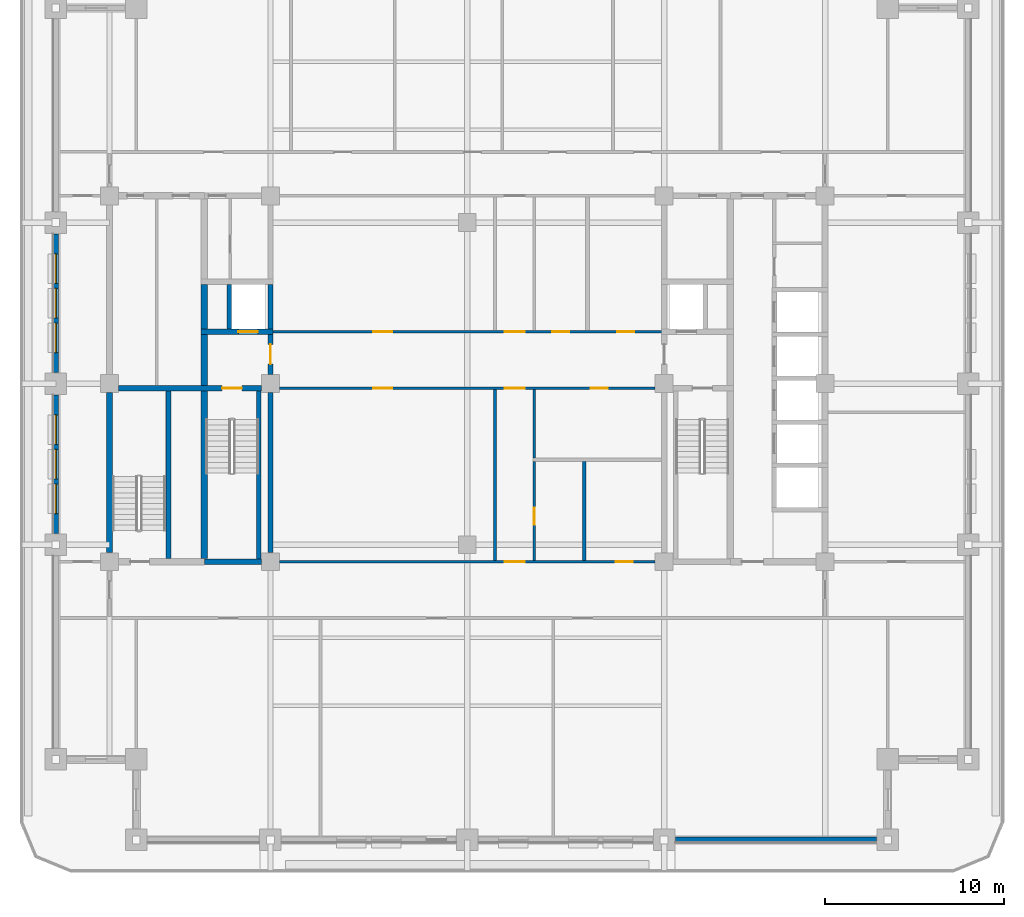
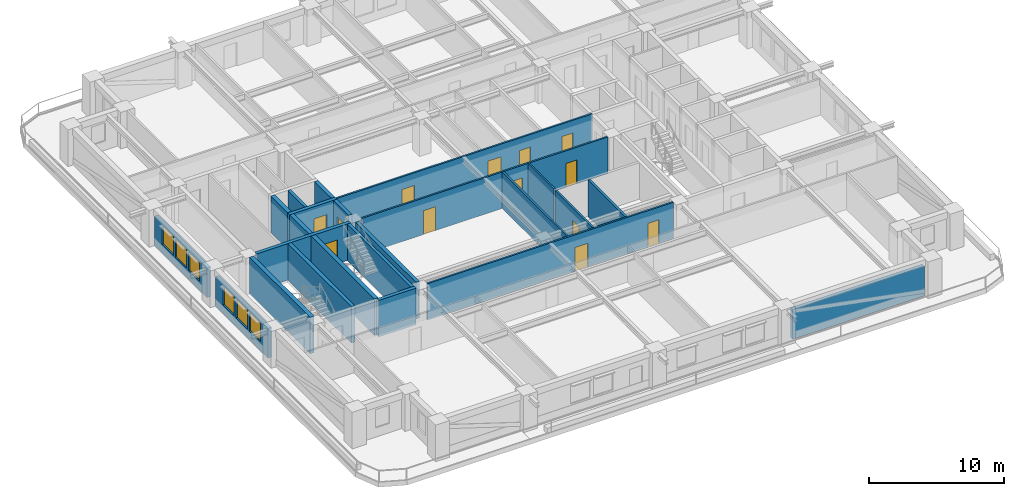
# One storey, part 3 of 14: 23 walls, 13 doors, 6 windows, 19 openings.
"""IFC4 building model written with IfcOpenShell, lengths in metres."""

from ifc_helpers import new_model, si_unit, direction, frame, frame_2d, origin, place, context, subcontext, project, spatial, rectangle, extrude, material, layer, layer_set, type_object, element, fill, save


model = new_model("IFC4")

# Units and contexts
model_context = context("Model", 3, precision=1e-05, world=origin(), true_north=direction((0.0, 1.0)))
body_context = subcontext(model_context, "Body", "Model", "MODEL_VIEW")
ifc_project = project(units=[si_unit("LENGTHUNIT", "METRE"), si_unit("AREAUNIT", "SQUARE_METRE"), si_unit("VOLUMEUNIT", "CUBIC_METRE"), si_unit("PLANEANGLEUNIT", "RADIAN"), si_unit("MASSUNIT", "GRAM", prefix="KILO")], contexts=[model_context])

# Site, building, storey
site_placement = place(None, origin())
site = spatial("IfcSite", under=ifc_project, at=site_placement, CompositionType="ELEMENT")
building_placement = place(site_placement, origin())
building = spatial("IfcBuilding", under=site, at=building_placement, Name="Zulmaris Gate Convention Tower", CompositionType="ELEMENT")
storey_placement = place(building_placement, frame((0.0, 0.0, 94.929931640625)))
storey = spatial("IfcBuildingStorey", under=building, at=storey_placement, Name="L23", CompositionType="ELEMENT", Elevation=94.929931640625)

# Walls
ifc_material_1 = material(Name="Concrete C50/60", Category="concrete")
ifc_layer_1 = layer(ifc_material_1, 0.25, Name="Concrete C50/60")
ifc_layer_set_1 = layer_set([ifc_layer_1], Name="Concrete C50/60")
wall_type_1 = type_object("IfcWallType", Name="CORE-250", PredefinedType="SOLIDWALL", material=ifc_layer_set_1)
wall_1_placement = place(storey_placement, frame((-13.300048828125, 3.052001953125, 0.0), z_axis=(0.0, 0.0, 1.0), x_axis=(0.0, 1.0, 0.0)))
element("IfcWall", 1, at=wall_1_placement, inside=storey, type_object=wall_type_1, Name="WL-L23-041", PredefinedType="SOLIDWALL", context=body_context, shape_type="SweptSolid", body=[
    extrude(rectangle(XDim=2.49609375, YDim=0.25, at=frame_2d((1.248046875, 0.0))), origin(), (0.0, 0.0, 1.0), 3.295166015625),
])
wall_2_placement = place(storey_placement, frame((-11.64990234375, -9.798095703125, 0.0), z_axis=(0.0, 0.0, 1.0), x_axis=(0.0, 1.0, 0.0)))
element("IfcWall", 2, at=wall_2_placement, inside=storey, type_object=wall_type_1, Name="WL-L23-042", PredefinedType="SOLIDWALL", context=body_context, shape_type="SweptSolid", body=[
    extrude(rectangle(XDim=9.39599609375, YDim=0.25, at=frame_2d((4.697998046875, 0.0))), origin(), (0.0, 0.0, 1.0), 3.295166015625),
])
ifc_layer_2 = layer(ifc_material_1, 0.300048828125, Name="Concrete C50/60")
ifc_layer_set_2 = layer_set([ifc_layer_2], Name="Concrete C50/60")
wall_type_2 = type_object("IfcWallType", Name="CORE-300", PredefinedType="SHEAR", material=ifc_layer_set_2)
wall_3_placement = place(storey_placement, frame((-14.699951171875, -9.949951171875, 0.0), z_axis=(0.0, 0.0, 1.0), x_axis=(1.0, 0.0, 0.0)))
element("IfcWall", 3, at=wall_3_placement, inside=storey, type_object=wall_type_2, Name="WL-L23-002", PredefinedType="SHEAR", context=body_context, shape_type="SweptSolid", body=[
    extrude(rectangle(XDim=3.196044921875, YDim=0.300048828125, at=frame_2d((1.59814453125, 0.0))), origin(), (0.0, 0.0, 1.0), 3.295166015625),
])

# Wall, opening, door
wall_4_placement = place(storey_placement, frame((-19.49609375, -0.25, 0.0), z_axis=(0.0, 0.0, 1.0), x_axis=(1.0, 0.0, 0.0)))
wall_4 = element("IfcWall", 4, at=wall_4_placement, inside=storey, type_object=wall_type_2, Name="WL-L23-008", PredefinedType="SHEAR", context=body_context, shape_type="SweptSolid", body=[
    extrude(rectangle(XDim=7.9921875, YDim=0.300048828125, at=frame_2d((3.99609375, 0.0))), origin(), (0.0, 0.0, 1.0), 3.295166015625),
])
opening_1_placement = place(wall_4_placement, frame((5.7958984375, 0.0, 0.0)))
opening_1 = element("IfcOpeningElement", 5, at=opening_1_placement, cuts=wall_4, Name="Opening D-08", PredefinedType="OPENING", context=body_context, shape_type="SweptSolid", body=[
    extrude(rectangle(XDim=1.10009765625, YDim=2.14990234375, at=frame_2d((0.550048828125, 1.074951171875))), frame((0.0, 0.16015625, 0.0), z_axis=(0.0, -1.0, 0.0), x_axis=(1.0, 0.0, 0.0)), (0.0, 0.0, 1.0), 0.320068359375),
])
ifc_material_2 = material(Name="Fire-Rated Steel", Category="steel")
door_type_1 = type_object("IfcDoorType", Name="DR-1100-FD", OperationType="NOTDEFINED", PredefinedType="DOOR", material=ifc_material_2)
door_1_placement = place(opening_1_placement, origin())
door_1 = element("IfcDoor", 6, at=door_1_placement, inside=storey, type_object=door_type_1, Name="L23 Exit Stair ST-1 Door 01", OperationType="SINGLE_SWING_RIGHT", OverallHeight=2.14990234375, OverallWidth=1.10009765625, PredefinedType="DOOR", context=body_context, shape_type="SweptSolid", body=[
    extrude(rectangle(XDim=1.10009765625, YDim=2.14990234375, at=frame_2d((0.550048828125, 1.074951171875))), frame((0.0, 0.02490234375, 0.0), z_axis=(0.0, -1.0, 0.0), x_axis=(1.0, 0.0, 0.0)), (0.0, 0.0, 1.0), 0.050048828125),
])
fill(opening_1, door_1)

wall_5_placement = place(storey_placement, frame((-14.875, 2.89990234375, 0.0), z_axis=(0.0, 0.0, 1.0), x_axis=(1.0, 0.0, 0.0)))
wall_5 = element("IfcWall", 7, at=wall_5_placement, inside=storey, type_object=wall_type_2, Name="WL-L23-012", PredefinedType="SHEAR", context=body_context, shape_type="SweptSolid", body=[
    extrude(rectangle(XDim=4.02490234375, YDim=0.300048828125, at=frame_2d((2.012451171875, 0.0))), origin(), (0.0, 0.0, 1.0), 3.295166015625),
])
opening_2_placement = place(wall_5_placement, frame((2.074951171875, 0.0, 0.0)))
opening_2 = element("IfcOpeningElement", 8, at=opening_2_placement, cuts=wall_5, Name="Opening D-06", PredefinedType="OPENING", context=body_context, shape_type="SweptSolid", body=[
    extrude(rectangle(XDim=1.10009765625, YDim=2.199951171875, at=frame_2d((0.550048828125, 1.10009765625))), frame((0.0, 0.16015625, 0.0), z_axis=(0.0, -1.0, 0.0), x_axis=(1.0, 0.0, 0.0)), (0.0, 0.0, 1.0), 0.320068359375),
])
ifc_material_3 = material(Name="Brushed Stainless Steel", Category="steel")
door_type_2 = type_object("IfcDoorType", Name="LD-1100", OperationType="NOTDEFINED", PredefinedType="DOOR", material=ifc_material_3)
door_2_placement = place(opening_2_placement, origin())
door_2 = element("IfcDoor", 9, at=door_2_placement, inside=storey, type_object=door_type_2, Name="L23 Lift Landing Door LF-01 03", OperationType="SLIDING_TO_LEFT", OverallHeight=2.199951171875, OverallWidth=1.10009765625, PredefinedType="DOOR", context=body_context, shape_type="SweptSolid", body=[
    extrude(rectangle(XDim=1.10009765625, YDim=2.199951171875, at=frame_2d((0.550048828125, 1.10009765625))), frame((0.0, 0.02490234375, 0.0), z_axis=(0.0, -1.0, 0.0), x_axis=(1.0, 0.0, 0.0)), (0.0, 0.0, 1.0), 0.050048828125),
])
fill(opening_2, door_2)

# Walls
wall_6_placement = place(storey_placement, frame((-16.699951171875, -9.77294921875, 0.0), z_axis=(0.0, 0.0, 1.0), x_axis=(0.0, 1.0, 0.0)))
element("IfcWall", 10, at=wall_6_placement, inside=storey, type_object=wall_type_2, Name="WL-L23-036", PredefinedType="SHEAR", context=body_context, shape_type="SweptSolid", body=[
    extrude(rectangle(XDim=9.370849609375, YDim=0.300048828125, at=frame_2d((4.685546875, 0.0))), origin(), (0.0, 0.0, 1.0), 3.295166015625),
])
wall_7_placement = place(storey_placement, frame((-11.0, -9.446044921875, 0.0), z_axis=(0.0, 0.0, 1.0), x_axis=(0.0, 1.0, 0.0)))
element("IfcWall", 11, at=wall_7_placement, inside=storey, type_object=wall_type_2, Name="WL-L23-043", PredefinedType="SHEAR", context=body_context, shape_type="SweptSolid", body=[
    extrude(rectangle(XDim=8.942138671875, YDim=0.300048828125, at=frame_2d((4.47119140625, 0.0))), origin(), (0.0, 0.0, 1.0), 3.295166015625),
])

# Wall, opening, door
wall_8_placement = place(storey_placement, frame((-11.0, 0.50390625, 0.0), z_axis=(0.0, 0.0, 1.0), x_axis=(0.0, 1.0, 0.0)))
wall_8 = element("IfcWall", 12, at=wall_8_placement, inside=storey, type_object=wall_type_2, Name="WL-L23-044", PredefinedType="SHEAR", context=body_context, shape_type="SweptSolid", body=[
    extrude(rectangle(XDim=2.244140625, YDim=0.300048828125, at=frame_2d((1.1220703125, 0.0))), origin(), (0.0, 0.0, 1.0), 3.295166015625),
])
opening_3_placement = place(wall_8_placement, frame((0.595947265625, 0.0, 0.0)))
opening_3 = element("IfcOpeningElement", 13, at=opening_3_placement, cuts=wall_8, Name="Opening D-08", PredefinedType="OPENING", context=body_context, shape_type="SweptSolid", body=[
    extrude(rectangle(XDim=1.10009765625, YDim=2.14990234375, at=frame_2d((0.550048828125, 1.074951171875))), frame((0.0, 0.16015625, 0.0), z_axis=(0.0, -1.0, 0.0), x_axis=(1.0, 0.0, 0.0)), (0.0, 0.0, 1.0), 0.320068359375),
])
door_3_placement = place(opening_3_placement, origin())
door_3 = element("IfcDoor", 14, at=door_3_placement, inside=storey, type_object=door_type_1, Name="L23 West Firefighting Lobby Door 02", OperationType="SINGLE_SWING_LEFT", OverallHeight=2.14990234375, OverallWidth=1.10009765625, PredefinedType="DOOR", context=body_context, shape_type="SweptSolid", body=[
    extrude(rectangle(XDim=1.10009765625, YDim=2.14990234375, at=frame_2d((0.550048828125, 1.074951171875))), frame((0.0, 0.02490234375, 0.0), z_axis=(0.0, -1.0, 0.0), x_axis=(1.0, 0.0, 0.0)), (0.0, 0.0, 1.0), 0.050048828125),
])
fill(opening_3, door_3)

# Walls
wall_9_placement = place(storey_placement, frame((-11.0, 3.052001953125, 0.0), z_axis=(0.0, 0.0, 1.0), x_axis=(0.0, 1.0, 0.0)))
element("IfcWall", 15, at=wall_9_placement, inside=storey, type_object=wall_type_2, Name="WL-L23-045", PredefinedType="SHEAR", context=body_context, shape_type="SweptSolid", body=[
    extrude(rectangle(XDim=2.49609375, YDim=0.300048828125, at=frame_2d((1.248046875, 0.0))), origin(), (0.0, 0.0, 1.0), 3.295166015625),
])
ifc_material_4 = material(Name="Concrete C55/67", Category="concrete")
ifc_layer_3 = layer(ifc_material_4, 0.35009765625, Name="Concrete C55/67")
ifc_layer_set_3 = layer_set([ifc_layer_3], Name="Concrete C55/67")
wall_type_3 = type_object("IfcWallType", Name="CORE-350", PredefinedType="SHEAR", material=ifc_layer_set_3)
wall_10_placement = place(storey_placement, frame((-20.0, -9.446044921875, 0.0), z_axis=(0.0, 0.0, 1.0), x_axis=(0.0, 1.0, 0.0)))
element("IfcWall", 16, at=wall_10_placement, inside=storey, type_object=wall_type_3, Name="WL-L23-034", PredefinedType="SHEAR", context=body_context, shape_type="SweptSolid", body=[
    extrude(rectangle(XDim=8.942138671875, YDim=0.35009765625, at=frame_2d((4.47119140625, 0.0))), origin(), (0.0, 0.0, 1.0), 3.295166015625),
])
wall_11_placement = place(storey_placement, frame((-14.699951171875, -9.77294921875, 0.0), z_axis=(0.0, 0.0, 1.0), x_axis=(0.0, 1.0, 0.0)))
element("IfcWall", 17, at=wall_11_placement, inside=storey, type_object=wall_type_3, Name="WL-L23-037", PredefinedType="SHEAR", context=body_context, shape_type="SweptSolid", body=[
    extrude(rectangle(XDim=9.370849609375, YDim=0.35009765625, at=frame_2d((4.685546875, 0.0))), origin(), (0.0, 0.0, 1.0), 3.295166015625),
])
wall_12_placement = place(storey_placement, frame((-14.699951171875, -0.097900390625, 0.0), z_axis=(0.0, 0.0, 1.0), x_axis=(0.0, 1.0, 0.0)))
element("IfcWall", 18, at=wall_12_placement, inside=storey, type_object=wall_type_3, Name="WL-L23-038", PredefinedType="SHEAR", context=body_context, shape_type="SweptSolid", body=[
    extrude(rectangle(XDim=2.845947265625, YDim=0.35009765625, at=frame_2d((1.4228515625, 0.0))), origin(), (0.0, 0.0, 1.0), 3.295166015625),
])
wall_13_placement = place(storey_placement, frame((-14.699951171875, 3.052001953125, 0.0), z_axis=(0.0, 0.0, 1.0), x_axis=(0.0, 1.0, 0.0)))
element("IfcWall", 19, at=wall_13_placement, inside=storey, type_object=wall_type_3, Name="WL-L23-039", PredefinedType="SHEAR", context=body_context, shape_type="SweptSolid", body=[
    extrude(rectangle(XDim=2.49609375, YDim=0.35009765625, at=frame_2d((1.248046875, 0.0))), origin(), (0.0, 0.0, 1.0), 3.295166015625),
])

# Wall, openings, doors
ifc_material_5 = material(Name="Gypsum Metal Stud Partition")
ifc_layer_4 = layer(ifc_material_5, 0.14990234375, Name="Gypsum Metal Stud Partition")
ifc_layer_set_4 = layer_set([ifc_layer_4], Name="Gypsum Metal Stud Partition")
wall_type_4 = type_object("IfcWallType", Name="PART-150", PredefinedType="PARTITIONING", material=ifc_layer_set_4)
wall_14_placement = place(storey_placement, frame((-10.493896484375, -9.949951171875, 0.0), z_axis=(0.0, 0.0, 1.0), x_axis=(1.0, 0.0, 0.0)))
wall_14 = element("IfcWall", 20, at=wall_14_placement, inside=storey, type_object=wall_type_4, Name="WL-L23-023", PredefinedType="PARTITIONING", context=body_context, shape_type="SweptSolid", body=[
    extrude(rectangle(XDim=20.98779296875, YDim=0.14990234375, at=frame_2d((10.493896484375, 0.0))), origin(), (0.0, 0.0, 1.0), 3.295166015625),
])
opening_4_placement = place(wall_14_placement, frame((12.593994140625, 0.0, 0.0)))
opening_4 = element("IfcOpeningElement", 21, at=opening_4_placement, cuts=wall_14, Name="Opening D-08", PredefinedType="OPENING", context=body_context, shape_type="SweptSolid", body=[
    extrude(rectangle(XDim=1.10009765625, YDim=2.14990234375, at=frame_2d((0.550048828125, 1.074951171875))), frame((0.0, 0.0849609375, 0.0), z_axis=(0.0, -1.0, 0.0), x_axis=(1.0, 0.0, 0.0)), (0.0, 0.0, 1.0), 0.169921875),
])
opening_5_placement = place(wall_14_placement, frame((18.799072265625, 0.0, 0.0)))
opening_5 = element("IfcOpeningElement", 22, at=opening_5_placement, cuts=wall_14, Name="Opening D-11", PredefinedType="OPENING", context=body_context, shape_type="SweptSolid", body=[
    extrude(rectangle(XDim=0.949951171875, YDim=2.14990234375, at=frame_2d((0.47509765625, 1.074951171875))), frame((0.0, 0.0849609375, 0.0), z_axis=(0.0, -1.0, 0.0), x_axis=(1.0, 0.0, 0.0)), (0.0, 0.0, 1.0), 0.169921875),
])
door_4_placement = place(opening_4_placement, origin())
door_4 = element("IfcDoor", 23, at=door_4_placement, inside=storey, type_object=door_type_1, Name="L23 South Gallery Link Door 22", OperationType="SINGLE_SWING_LEFT", OverallHeight=2.14990234375, OverallWidth=1.10009765625, PredefinedType="DOOR", context=body_context, shape_type="SweptSolid", body=[
    extrude(rectangle(XDim=1.10009765625, YDim=2.14990234375, at=frame_2d((0.550048828125, 1.074951171875))), frame((0.0, 0.02490234375, 0.0), z_axis=(0.0, -1.0, 0.0), x_axis=(1.0, 0.0, 0.0)), (0.0, 0.0, 1.0), 0.050048828125),
])
fill(opening_4, door_4)
ifc_material_6 = material(Name="Fire-Rated Timber", Category="wood")
door_type_3 = type_object("IfcDoorType", Name="DR-950-FD", OperationType="NOTDEFINED", PredefinedType="DOOR", material=ifc_material_6)
door_5_placement = place(opening_5_placement, origin())
door_5 = element("IfcDoor", 24, at=door_5_placement, inside=storey, type_object=door_type_3, Name="L23 Vault Store Door 40", OperationType="SINGLE_SWING_LEFT", OverallHeight=2.14990234375, OverallWidth=0.949951171875, PredefinedType="DOOR", context=body_context, shape_type="SweptSolid", body=[
    extrude(rectangle(XDim=0.949951171875, YDim=2.14990234375, at=frame_2d((0.47509765625, 1.074951171875))), frame((0.0, 0.02490234375, 0.0), z_axis=(0.0, -1.0, 0.0), x_axis=(1.0, 0.0, 0.0)), (0.0, 0.0, 1.0), 0.050048828125),
])
fill(opening_5, door_5)

wall_15_placement = place(storey_placement, frame((-10.493896484375, -0.25, 0.0), z_axis=(0.0, 0.0, 1.0), x_axis=(1.0, 0.0, 0.0)))
wall_15 = element("IfcWall", 25, at=wall_15_placement, inside=storey, type_object=wall_type_4, Name="WL-L23-027", PredefinedType="PARTITIONING", context=body_context, shape_type="SweptSolid", body=[
    extrude(rectangle(XDim=20.98779296875, YDim=0.14990234375, at=frame_2d((10.493896484375, 0.0))), origin(), (0.0, 0.0, 1.0), 3.295166015625),
])
opening_6_placement = place(wall_15_placement, frame((12.593994140625, 0.0, 0.0)))
opening_6 = element("IfcOpeningElement", 26, at=opening_6_placement, cuts=wall_15, Name="Opening D-08", PredefinedType="OPENING", context=body_context, shape_type="SweptSolid", body=[
    extrude(rectangle(XDim=1.10009765625, YDim=2.14990234375, at=frame_2d((0.550048828125, 1.074951171875))), frame((0.0, 0.0849609375, 0.0), z_axis=(0.0, -1.0, 0.0), x_axis=(1.0, 0.0, 0.0)), (0.0, 0.0, 1.0), 0.169921875),
])
opening_7_placement = place(wall_15_placement, frame((5.2490234375, 0.0, 0.0)))
opening_7 = element("IfcOpeningElement", 27, at=opening_7_placement, cuts=wall_15, Name="Opening D-09", PredefinedType="OPENING", context=body_context, shape_type="SweptSolid", body=[
    extrude(rectangle(XDim=1.050048828125, YDim=2.14990234375, at=frame_2d((0.52490234375, 1.074951171875))), frame((0.0, 0.0849609375, 0.0), z_axis=(0.0, -1.0, 0.0), x_axis=(1.0, 0.0, 0.0)), (0.0, 0.0, 1.0), 0.169921875),
])
opening_8_placement = place(wall_15_placement, frame((17.39892578125, 0.0, 0.0)))
opening_8 = element("IfcOpeningElement", 28, at=opening_8_placement, cuts=wall_15, Name="Opening D-11", PredefinedType="OPENING", context=body_context, shape_type="SweptSolid", body=[
    extrude(rectangle(XDim=0.949951171875, YDim=2.14990234375, at=frame_2d((0.47509765625, 1.074951171875))), frame((0.0, 0.0849609375, 0.0), z_axis=(0.0, -1.0, 0.0), x_axis=(1.0, 0.0, 0.0)), (0.0, 0.0, 1.0), 0.169921875),
])
door_type_4 = type_object("IfcDoorType", Name="DR-1050-FD", OperationType="NOTDEFINED", PredefinedType="DOOR", material=ifc_material_2)
door_6_placement = place(opening_7_placement, origin())
door_6 = element("IfcDoor", 29, at=door_6_placement, inside=storey, type_object=door_type_4, Name="L23 Sky Library Door 37", OperationType="SINGLE_SWING_RIGHT", OverallHeight=2.14990234375, OverallWidth=1.050048828125, PredefinedType="DOOR", context=body_context, shape_type="SweptSolid", body=[
    extrude(rectangle(XDim=1.050048828125, YDim=2.14990234375, at=frame_2d((0.52490234375, 1.074951171875))), frame((0.0, 0.02490234375, 0.0), z_axis=(0.0, -1.0, 0.0), x_axis=(1.0, 0.0, 0.0)), (0.0, 0.0, 1.0), 0.050048828125),
])
fill(opening_7, door_6)
door_7_placement = place(opening_6_placement, origin())
door_7 = element("IfcDoor", 30, at=door_7_placement, inside=storey, type_object=door_type_1, Name="L23 Cross Spine South Door 24", OperationType="SINGLE_SWING_LEFT", OverallHeight=2.14990234375, OverallWidth=1.10009765625, PredefinedType="DOOR", context=body_context, shape_type="SweptSolid", body=[
    extrude(rectangle(XDim=1.10009765625, YDim=2.14990234375, at=frame_2d((0.550048828125, 1.074951171875))), frame((0.0, 0.02490234375, 0.0), z_axis=(0.0, -1.0, 0.0), x_axis=(1.0, 0.0, 0.0)), (0.0, 0.0, 1.0), 0.050048828125),
])
fill(opening_6, door_7)
door_8_placement = place(opening_8_placement, origin())
door_8 = element("IfcDoor", 31, at=door_8_placement, inside=storey, type_object=door_type_3, Name="L23 Public WC Door 38", OperationType="SINGLE_SWING_LEFT", OverallHeight=2.14990234375, OverallWidth=0.949951171875, PredefinedType="DOOR", context=body_context, shape_type="SweptSolid", body=[
    extrude(rectangle(XDim=0.949951171875, YDim=2.14990234375, at=frame_2d((0.47509765625, 1.074951171875))), frame((0.0, 0.02490234375, 0.0), z_axis=(0.0, -1.0, 0.0), x_axis=(1.0, 0.0, 0.0)), (0.0, 0.0, 1.0), 0.050048828125),
])
fill(opening_8, door_8)

wall_16_placement = place(storey_placement, frame((-11.0, 2.89990234375, 0.0), z_axis=(0.0, 0.0, 1.0), x_axis=(1.0, 0.0, 0.0)))
wall_16 = element("IfcWall", 32, at=wall_16_placement, inside=storey, type_object=wall_type_4, Name="WL-L23-028", PredefinedType="PARTITIONING", context=body_context, shape_type="SweptSolid", body=[
    extrude(rectangle(XDim=22.0, YDim=0.14990234375, at=frame_2d((11.0, 0.0))), origin(), (0.0, 0.0, 1.0), 3.295166015625),
])
opening_9_placement = place(wall_16_placement, frame((13.10009765625, 0.0, 0.0)))
opening_9 = element("IfcOpeningElement", 33, at=opening_9_placement, cuts=wall_16, Name="Opening D-08", PredefinedType="OPENING", context=body_context, shape_type="SweptSolid", body=[
    extrude(rectangle(XDim=1.10009765625, YDim=2.14990234375, at=frame_2d((0.550048828125, 1.074951171875))), frame((0.0, 0.0849609375, 0.0), z_axis=(0.0, -1.0, 0.0), x_axis=(1.0, 0.0, 0.0)), (0.0, 0.0, 1.0), 0.169921875),
])
opening_10_placement = place(wall_16_placement, frame((5.7548828125, 0.0, 0.0)))
opening_10 = element("IfcOpeningElement", 34, at=opening_10_placement, cuts=wall_16, Name="Opening D-09", PredefinedType="OPENING", context=body_context, shape_type="SweptSolid", body=[
    extrude(rectangle(XDim=1.050048828125, YDim=2.14990234375, at=frame_2d((0.52490234375, 1.074951171875))), frame((0.0, 0.0849609375, 0.0), z_axis=(0.0, -1.0, 0.0), x_axis=(1.0, 0.0, 0.0)), (0.0, 0.0, 1.0), 0.169921875),
])
opening_11_placement = place(wall_16_placement, frame((15.7548828125, 0.0, 0.0)))
opening_11 = element("IfcOpeningElement", 35, at=opening_11_placement, cuts=wall_16, Name="Opening D-11", PredefinedType="OPENING", context=body_context, shape_type="SweptSolid", body=[
    extrude(rectangle(XDim=0.949951171875, YDim=2.14990234375, at=frame_2d((0.47509765625, 1.074951171875))), frame((0.0, 0.0849609375, 0.0), z_axis=(0.0, -1.0, 0.0), x_axis=(1.0, 0.0, 0.0)), (0.0, 0.0, 1.0), 0.169921875),
])
opening_12_placement = place(wall_16_placement, frame((19.385009765625, 0.0, 0.0)))
opening_12 = element("IfcOpeningElement", 36, at=opening_12_placement, cuts=wall_16, Name="Opening D-11", PredefinedType="OPENING", context=body_context, shape_type="SweptSolid", body=[
    extrude(rectangle(XDim=0.949951171875, YDim=2.14990234375, at=frame_2d((0.47509765625, 1.074951171875))), frame((0.0, 0.0849609375, 0.0), z_axis=(0.0, -1.0, 0.0), x_axis=(1.0, 0.0, 0.0)), (0.0, 0.0, 1.0), 0.169921875),
])
door_9_placement = place(opening_10_placement, origin())
door_9 = element("IfcDoor", 37, at=door_9_placement, inside=storey, type_object=door_type_4, Name="L23 Reception Door 34", OperationType="SINGLE_SWING_LEFT", OverallHeight=2.14990234375, OverallWidth=1.050048828125, PredefinedType="DOOR", context=body_context, shape_type="SweptSolid", body=[
    extrude(rectangle(XDim=1.050048828125, YDim=2.14990234375, at=frame_2d((0.52490234375, 1.074951171875))), frame((0.0, 0.02490234375, 0.0), z_axis=(0.0, -1.0, 0.0), x_axis=(1.0, 0.0, 0.0)), (0.0, 0.0, 1.0), 0.050048828125),
])
fill(opening_10, door_9)
door_10_placement = place(opening_9_placement, origin())
door_10 = element("IfcDoor", 38, at=door_10_placement, inside=storey, type_object=door_type_1, Name="L23 Cross Spine North Door 23", OperationType="SINGLE_SWING_RIGHT", OverallHeight=2.14990234375, OverallWidth=1.10009765625, PredefinedType="DOOR", context=body_context, shape_type="SweptSolid", body=[
    extrude(rectangle(XDim=1.10009765625, YDim=2.14990234375, at=frame_2d((0.550048828125, 1.074951171875))), frame((0.0, 0.02490234375, 0.0), z_axis=(0.0, -1.0, 0.0), x_axis=(1.0, 0.0, 0.0)), (0.0, 0.0, 1.0), 0.050048828125),
])
fill(opening_9, door_10)
door_11_placement = place(opening_11_placement, origin())
door_11 = element("IfcDoor", 39, at=door_11_placement, inside=storey, type_object=door_type_3, Name="L23 Briefing Door 35", OperationType="SINGLE_SWING_RIGHT", OverallHeight=2.14990234375, OverallWidth=0.949951171875, PredefinedType="DOOR", context=body_context, shape_type="SweptSolid", body=[
    extrude(rectangle(XDim=0.949951171875, YDim=2.14990234375, at=frame_2d((0.47509765625, 1.074951171875))), frame((0.0, 0.02490234375, 0.0), z_axis=(0.0, -1.0, 0.0), x_axis=(1.0, 0.0, 0.0)), (0.0, 0.0, 1.0), 0.050048828125),
])
fill(opening_11, door_11)
door_12_placement = place(opening_12_placement, origin())
door_12 = element("IfcDoor", 40, at=door_12_placement, inside=storey, type_object=door_type_3, Name="L23 Dining Pantry Door 36", OperationType="SINGLE_SWING_LEFT", OverallHeight=2.14990234375, OverallWidth=0.949951171875, PredefinedType="DOOR", context=body_context, shape_type="SweptSolid", body=[
    extrude(rectangle(XDim=0.949951171875, YDim=2.14990234375, at=frame_2d((0.47509765625, 1.074951171875))), frame((0.0, 0.02490234375, 0.0), z_axis=(0.0, -1.0, 0.0), x_axis=(1.0, 0.0, 0.0)), (0.0, 0.0, 1.0), 0.050048828125),
])
fill(opening_12, door_12)

# Wall
wall_17_placement = place(storey_placement, frame((1.550048828125, -9.8720703125, 0.0), z_axis=(0.0, 0.0, 1.0), x_axis=(0.0, 1.0, 0.0)))
element("IfcWall", 41, at=wall_17_placement, inside=storey, type_object=wall_type_4, Name="WL-L23-078", PredefinedType="PARTITIONING", context=body_context, shape_type="SweptSolid", body=[
    extrude(rectangle(XDim=9.544189453125, YDim=0.14990234375, at=frame_2d((4.77197265625, 0.0))), origin(), (0.0, 0.0, 1.0), 3.295166015625),
])

# Wall, opening, door
wall_18_placement = place(storey_placement, frame((3.75, -9.8720703125, 0.0), z_axis=(0.0, 0.0, 1.0), x_axis=(0.0, 1.0, 0.0)))
wall_18 = element("IfcWall", 42, at=wall_18_placement, inside=storey, type_object=wall_type_4, Name="WL-L23-081", PredefinedType="PARTITIONING", context=body_context, shape_type="SweptSolid", body=[
    extrude(rectangle(XDim=5.51904296875, YDim=0.14990234375, at=frame_2d((2.759521484375, 0.0))), origin(), (0.0, 0.0, 1.0), 3.295166015625),
])
opening_13_placement = place(wall_18_placement, frame((1.9970703125, 0.0, 0.0)))
opening_13 = element("IfcOpeningElement", 43, at=opening_13_placement, cuts=wall_18, Name="Opening D-11", PredefinedType="OPENING", context=body_context, shape_type="SweptSolid", body=[
    extrude(rectangle(XDim=0.949951171875, YDim=2.14990234375, at=frame_2d((0.47509765625, 1.074951171875))), frame((0.0, 0.0849609375, 0.0), z_axis=(0.0, -1.0, 0.0), x_axis=(1.0, 0.0, 0.0)), (0.0, 0.0, 1.0), 0.169921875),
])
door_13_placement = place(opening_13_placement, origin())
door_13 = element("IfcDoor", 44, at=door_13_placement, inside=storey, type_object=door_type_3, Name="L23 Accessible WC Door 39", OperationType="SINGLE_SWING_RIGHT", OverallHeight=2.14990234375, OverallWidth=0.949951171875, PredefinedType="DOOR", context=body_context, shape_type="SweptSolid", body=[
    extrude(rectangle(XDim=0.949951171875, YDim=2.14990234375, at=frame_2d((0.47509765625, 1.074951171875))), frame((0.0, 0.02490234375, 0.0), z_axis=(0.0, -1.0, 0.0), x_axis=(1.0, 0.0, 0.0)), (0.0, 0.0, 1.0), 0.050048828125),
])
fill(opening_13, door_13)

# Walls
wall_19_placement = place(storey_placement, frame((3.75, -4.14697265625, 0.0), z_axis=(0.0, 0.0, 1.0), x_axis=(0.0, 1.0, 0.0)))
element("IfcWall", 45, at=wall_19_placement, inside=storey, type_object=wall_type_4, Name="WL-L23-082", PredefinedType="PARTITIONING", context=body_context, shape_type="SweptSolid", body=[
    extrude(rectangle(XDim=3.819091796875, YDim=0.14990234375, at=frame_2d((1.90966796875, 0.0))), origin(), (0.0, 0.0, 1.0), 3.295166015625),
])
ifc_material_7 = material(Name="Autoclaved Aerated Concrete Block and Plasterboard", Category="concrete")
ifc_layer_5 = layer(ifc_material_7, 0.199951171875, Name="Autoclaved Aerated Concrete Block and Plasterboard")
ifc_layer_set_5 = layer_set([ifc_layer_5], Name="Autoclaved Aerated Concrete Block and Plasterboard")
wall_type_5 = type_object("IfcWallType", Name="PART-200", PredefinedType="PARTITIONING", material=ifc_layer_set_5)
wall_20_placement = place(storey_placement, frame((6.550048828125, -9.8720703125, 0.0), z_axis=(0.0, 0.0, 1.0), x_axis=(0.0, 1.0, 0.0)))
element("IfcWall", 46, at=wall_20_placement, inside=storey, type_object=wall_type_5, Name="WL-L23-085", PredefinedType="PARTITIONING", context=body_context, shape_type="SweptSolid", body=[
    extrude(rectangle(XDim=5.51904296875, YDim=0.199951171875, at=frame_2d((2.759521484375, 0.0))), origin(), (0.0, 0.0, 1.0), 3.295166015625),
])
ifc_material_8 = material(Name="Precast concrete C40/50", Category="concrete")
ifc_layer_6 = layer(ifc_material_8, 0.300048828125, Name="Precast concrete C40/50")
ifc_layer_set_6 = layer_set([ifc_layer_6], Name="Precast concrete C40/50")
wall_type_6 = type_object("IfcWallType", Name="PRECAST-PIER-300", PredefinedType="STANDARD", material=ifc_layer_set_6)
wall_21_placement = place(storey_placement, frame((11.6298828125, -25.5, 0.0), z_axis=(0.0, 0.0, 1.0), x_axis=(1.0, 0.0, 0.0)))
element("IfcWall", 47, at=wall_21_placement, inside=storey, type_object=wall_type_6, Name="EW-L23-S-3_0", PredefinedType="STANDARD", context=body_context, shape_type="SweptSolid", body=[
    extrude(rectangle(XDim=11.240234375, YDim=0.300048828125, at=frame_2d((5.6201171875, 0.0))), origin(), (0.0, 0.0, 1.0), 2.68701171875),
])

# Wall, openings, windows
wall_22_placement = place(storey_placement, frame((-23.0, -0.6298828125, 0.0), z_axis=(0.0, 0.0, 1.0), x_axis=(0.0, -1.0, 0.0)))
wall_22 = element("IfcWall", 48, at=wall_22_placement, inside=storey, type_object=wall_type_6, Name="EW-L23-W-1_0", PredefinedType="STANDARD", context=body_context, shape_type="SweptSolid", body=[
    extrude(rectangle(XDim=7.740234375, YDim=0.300048828125, at=frame_2d((3.8701171875, 0.0))), origin(), (0.0, 0.0, 1.0), 2.68701171875),
])
opening_14_placement = place(wall_22_placement, frame((1.110107421875, 0.0, 0.800048828125)))
opening_14 = element("IfcOpeningElement", 49, at=opening_14_placement, cuts=wall_22, Name="Opening W-08", PredefinedType="OPENING", context=body_context, shape_type="SweptSolid", body=[
    extrude(rectangle(XDim=1.64990234375, YDim=1.699951171875, at=frame_2d((0.824951171875, 0.85009765625))), frame((0.0, 0.16015625, 0.0), z_axis=(0.0, -1.0, 0.0), x_axis=(1.0, 0.0, 0.0)), (0.0, 0.0, 1.0), 0.320068359375),
])
opening_15_placement = place(wall_22_placement, frame((3.044921875, 0.0, 0.800048828125)))
opening_15 = element("IfcOpeningElement", 50, at=opening_15_placement, cuts=wall_22, Name="Opening W-08", PredefinedType="OPENING", context=body_context, shape_type="SweptSolid", body=[
    extrude(rectangle(XDim=1.64990234375, YDim=1.699951171875, at=frame_2d((0.824951171875, 0.85009765625))), frame((0.0, 0.16015625, 0.0), z_axis=(0.0, -1.0, 0.0), x_axis=(1.0, 0.0, 0.0)), (0.0, 0.0, 1.0), 0.320068359375),
])
opening_16_placement = place(wall_22_placement, frame((4.97998046875, 0.0, 0.800048828125)))
opening_16 = element("IfcOpeningElement", 51, at=opening_16_placement, cuts=wall_22, Name="Opening W-08", PredefinedType="OPENING", context=body_context, shape_type="SweptSolid", body=[
    extrude(rectangle(XDim=1.64990234375, YDim=1.699951171875, at=frame_2d((0.824951171875, 0.85009765625))), frame((0.0, 0.16015625, 0.0), z_axis=(0.0, -1.0, 0.0), x_axis=(1.0, 0.0, 0.0)), (0.0, 0.0, 1.0), 0.320068359375),
])
ifc_material_9 = material(Name="Low-E Laminated Double Glazing in Aluminium Frame", Category="aluminium")
window_type = type_object("IfcWindowType", Name="WIN-1650x2150", PartitioningType="SINGLE_PANEL", PredefinedType="WINDOW", material=ifc_material_9)
window_1_placement = place(opening_14_placement, origin())
window_1 = element("IfcWindow", 52, at=window_1_placement, inside=storey, type_object=window_type, Name="WN-EW-L23-W-1_0-1", OverallHeight=1.699951171875, OverallWidth=1.64990234375, PartitioningType="SINGLE_PANEL", PredefinedType="WINDOW", context=body_context, shape_type="SweptSolid", body=[
    extrude(rectangle(XDim=1.64990234375, YDim=1.699951171875, at=frame_2d((0.824951171875, 0.85009765625))), frame((0.0, 0.030029296875, 0.0), z_axis=(0.0, -1.0, 0.0), x_axis=(1.0, 0.0, 0.0)), (0.0, 0.0, 1.0), 0.06005859375),
])
fill(opening_14, window_1)
window_2_placement = place(opening_15_placement, origin())
window_2 = element("IfcWindow", 53, at=window_2_placement, inside=storey, type_object=window_type, Name="WN-EW-L23-W-1_0-2", OverallHeight=1.699951171875, OverallWidth=1.64990234375, PartitioningType="SINGLE_PANEL", PredefinedType="WINDOW", context=body_context, shape_type="SweptSolid", body=[
    extrude(rectangle(XDim=1.64990234375, YDim=1.699951171875, at=frame_2d((0.824951171875, 0.85009765625))), frame((0.0, 0.030029296875, 0.0), z_axis=(0.0, -1.0, 0.0), x_axis=(1.0, 0.0, 0.0)), (0.0, 0.0, 1.0), 0.06005859375),
])
fill(opening_15, window_2)
window_3_placement = place(opening_16_placement, origin())
window_3 = element("IfcWindow", 54, at=window_3_placement, inside=storey, type_object=window_type, Name="WN-EW-L23-W-1_0-3", OverallHeight=1.699951171875, OverallWidth=1.64990234375, PartitioningType="SINGLE_PANEL", PredefinedType="WINDOW", context=body_context, shape_type="SweptSolid", body=[
    extrude(rectangle(XDim=1.64990234375, YDim=1.699951171875, at=frame_2d((0.824951171875, 0.85009765625))), frame((0.0, 0.030029296875, 0.0), z_axis=(0.0, -1.0, 0.0), x_axis=(1.0, 0.0, 0.0)), (0.0, 0.0, 1.0), 0.06005859375),
])
fill(opening_16, window_3)

wall_23_placement = place(storey_placement, frame((-23.0, 8.3701171875, 0.0), z_axis=(0.0, 0.0, 1.0), x_axis=(0.0, -1.0, 0.0)))
wall_23 = element("IfcWall", 55, at=wall_23_placement, inside=storey, type_object=wall_type_6, Name="EW-L23-W-2_0", PredefinedType="STANDARD", context=body_context, shape_type="SweptSolid", body=[
    extrude(rectangle(XDim=7.740234375, YDim=0.300048828125, at=frame_2d((3.8701171875, 0.0))), origin(), (0.0, 0.0, 1.0), 2.68701171875),
])
opening_17_placement = place(wall_23_placement, frame((1.110107421875, 0.0, 0.800048828125)))
opening_17 = element("IfcOpeningElement", 56, at=opening_17_placement, cuts=wall_23, Name="Opening W-08", PredefinedType="OPENING", context=body_context, shape_type="SweptSolid", body=[
    extrude(rectangle(XDim=1.64990234375, YDim=1.699951171875, at=frame_2d((0.824951171875, 0.85009765625))), frame((0.0, 0.16015625, 0.0), z_axis=(0.0, -1.0, 0.0), x_axis=(1.0, 0.0, 0.0)), (0.0, 0.0, 1.0), 0.320068359375),
])
opening_18_placement = place(wall_23_placement, frame((3.044921875, 0.0, 0.800048828125)))
opening_18 = element("IfcOpeningElement", 57, at=opening_18_placement, cuts=wall_23, Name="Opening W-08", PredefinedType="OPENING", context=body_context, shape_type="SweptSolid", body=[
    extrude(rectangle(XDim=1.64990234375, YDim=1.699951171875, at=frame_2d((0.824951171875, 0.85009765625))), frame((0.0, 0.16015625, 0.0), z_axis=(0.0, -1.0, 0.0), x_axis=(1.0, 0.0, 0.0)), (0.0, 0.0, 1.0), 0.320068359375),
])
opening_19_placement = place(wall_23_placement, frame((4.97998046875, 0.0, 0.800048828125)))
opening_19 = element("IfcOpeningElement", 58, at=opening_19_placement, cuts=wall_23, Name="Opening W-08", PredefinedType="OPENING", context=body_context, shape_type="SweptSolid", body=[
    extrude(rectangle(XDim=1.64990234375, YDim=1.699951171875, at=frame_2d((0.824951171875, 0.85009765625))), frame((0.0, 0.16015625, 0.0), z_axis=(0.0, -1.0, 0.0), x_axis=(1.0, 0.0, 0.0)), (0.0, 0.0, 1.0), 0.320068359375),
])
window_4_placement = place(opening_17_placement, origin())
window_4 = element("IfcWindow", 59, at=window_4_placement, inside=storey, type_object=window_type, Name="WN-EW-L23-W-2_0-1", OverallHeight=1.699951171875, OverallWidth=1.64990234375, PartitioningType="SINGLE_PANEL", PredefinedType="WINDOW", context=body_context, shape_type="SweptSolid", body=[
    extrude(rectangle(XDim=1.64990234375, YDim=1.699951171875, at=frame_2d((0.824951171875, 0.85009765625))), frame((0.0, 0.030029296875, 0.0), z_axis=(0.0, -1.0, 0.0), x_axis=(1.0, 0.0, 0.0)), (0.0, 0.0, 1.0), 0.06005859375),
])
fill(opening_17, window_4)
window_5_placement = place(opening_18_placement, origin())
window_5 = element("IfcWindow", 60, at=window_5_placement, inside=storey, type_object=window_type, Name="WN-EW-L23-W-2_0-2", OverallHeight=1.699951171875, OverallWidth=1.64990234375, PartitioningType="SINGLE_PANEL", PredefinedType="WINDOW", context=body_context, shape_type="SweptSolid", body=[
    extrude(rectangle(XDim=1.64990234375, YDim=1.699951171875, at=frame_2d((0.824951171875, 0.85009765625))), frame((0.0, 0.030029296875, 0.0), z_axis=(0.0, -1.0, 0.0), x_axis=(1.0, 0.0, 0.0)), (0.0, 0.0, 1.0), 0.06005859375),
])
fill(opening_18, window_5)
window_6_placement = place(opening_19_placement, origin())
window_6 = element("IfcWindow", 61, at=window_6_placement, inside=storey, type_object=window_type, Name="WN-EW-L23-W-2_0-3", OverallHeight=1.699951171875, OverallWidth=1.64990234375, PartitioningType="SINGLE_PANEL", PredefinedType="WINDOW", context=body_context, shape_type="SweptSolid", body=[
    extrude(rectangle(XDim=1.64990234375, YDim=1.699951171875, at=frame_2d((0.824951171875, 0.85009765625))), frame((0.0, 0.030029296875, 0.0), z_axis=(0.0, -1.0, 0.0), x_axis=(1.0, 0.0, 0.0)), (0.0, 0.0, 1.0), 0.06005859375),
])
fill(opening_19, window_6)

save(model, "model.ifc")
